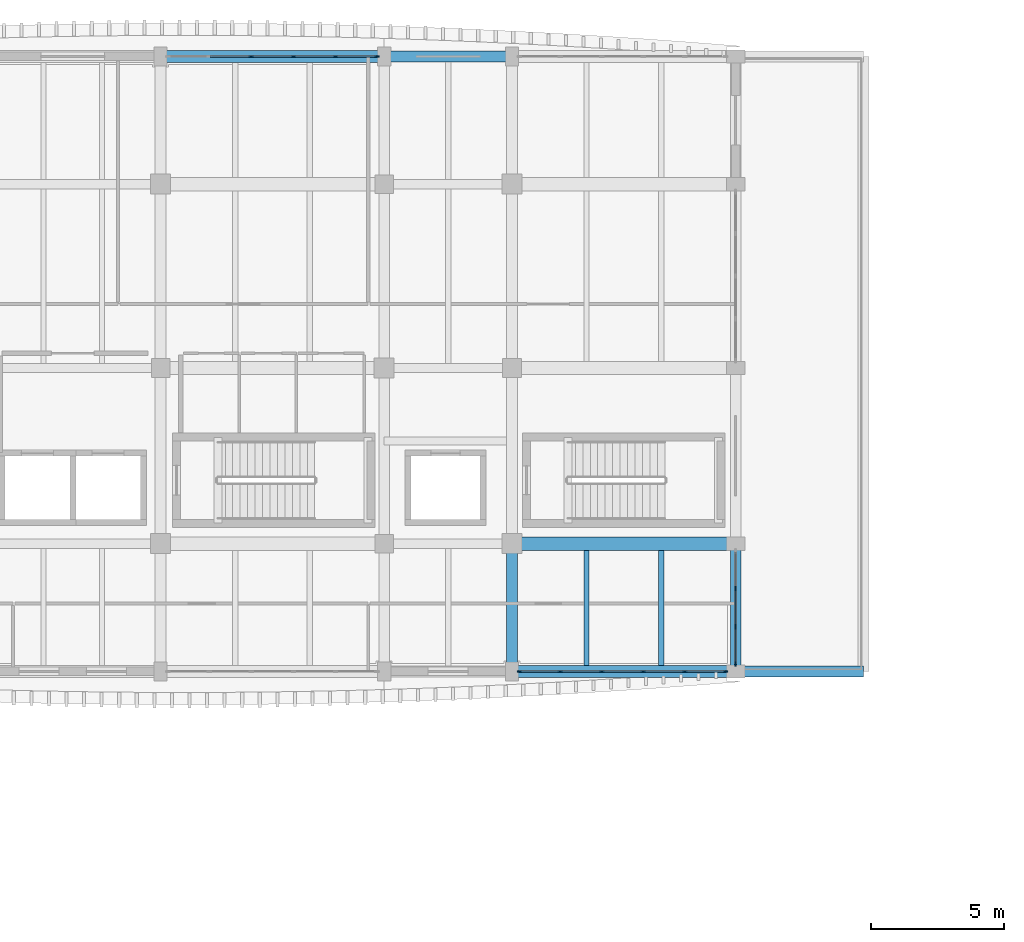
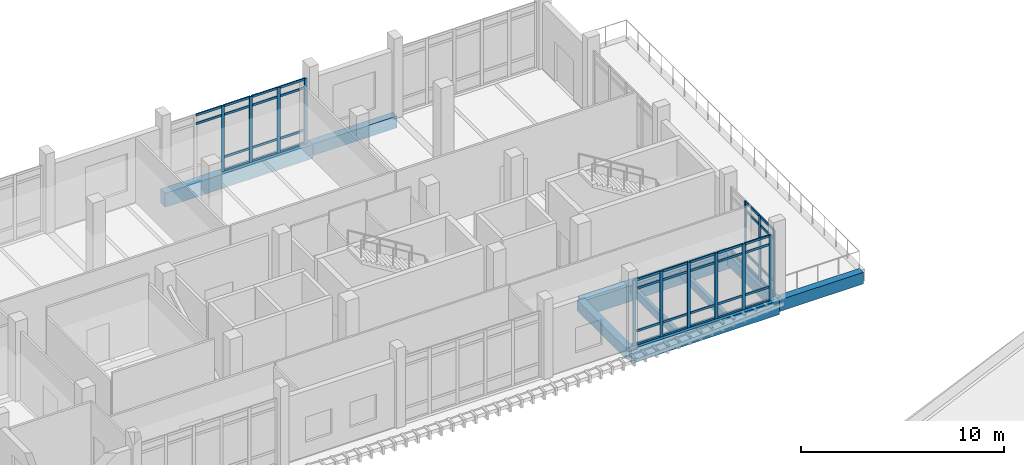
# One storey, part 7 of 50: 56 members, 9 beams, 3 elements without a shape of their own.
"""IFC4 building model written with IfcOpenShell, lengths in metres."""

import ifcopenshell
import ifcopenshell.guid

model = None  # the IFC model being written
_history = None  # IfcOwnerHistory: only IFC2X3 demands one
_inside = {}  # id of a spatial element -> (the spatial element, [elements in it])
_under = {}  # id of a project, library or spatial element -> (it, [spatial elements below it])
_declared = {}  # id of a project -> (the project, [libraries it declares])
_typed = {}  # id of a type object -> (the type object, [elements of that type])
_made_of = {}  # id of a material, layer set ... -> (it, [elements and type objects made of it])


def new_model(schema):
    """Start an empty IFC model of exactly this schema.

    Asked for "IFC4X3", IfcOpenShell would pick the latest addendum, in which some entities
    have other attributes; the version numbers below select the first issue.
    IFC2X3 requires an IfcOwnerHistory on every rooted entity: one is made here for all.
    """
    global model, _history
    if schema == "IFC4X3":
        model = ifcopenshell.file(schema_version=(4, 3, 0, 0))
    else:
        model = ifcopenshell.file(schema=schema)
    _inside.clear()
    _under.clear()
    _declared.clear()
    _typed.clear()
    _made_of.clear()
    _history = None
    if model.schema == "IFC2X3":
        org = make("IfcOrganization", Name="unknown")
        user = make(
            "IfcPersonAndOrganization",
            ThePerson=make("IfcPerson", FamilyName="unknown"),
            TheOrganization=org,
        )
        app = make(
            "IfcApplication",
            ApplicationDeveloper=org,
            Version="unknown",
            ApplicationFullName="unknown",
            ApplicationIdentifier="unknown",
        )
        _history = make(
            "IfcOwnerHistory",
            OwningUser=user,
            OwningApplication=app,
            ChangeAction="ADDED",
            CreationDate=0,
        )
    return model


def make(cls, **values):
    """One entity of the class cls with the attributes given. An attribute that is None is left unset."""
    return model.create_entity(
        cls, **{name: value for name, value in values.items() if value is not None}
    )


def rooted(cls, **values):
    """An entity with a GlobalId (a new one), such as an element, a storey or a relation."""
    return make(cls, GlobalId=ifcopenshell.guid.new(), OwnerHistory=_history, **values)


def si_unit(unit_type, name, prefix=None):
    """IfcSIUnit, for example si_unit("LENGTHUNIT", "METRE", prefix="MILLI")."""
    return make("IfcSIUnit", UnitType=unit_type, Prefix=prefix, Name=name)


def assignment(units):
    """IfcUnitAssignment: the units of a project."""
    return None if units is None else make("IfcUnitAssignment", Units=units)


def point(xyz):
    """IfcCartesianPoint."""
    return None if xyz is None else make("IfcCartesianPoint", Coordinates=xyz)


def direction(xyz):
    """IfcDirection."""
    return None if xyz is None else make("IfcDirection", DirectionRatios=xyz)


def frame(location, z_axis=None, x_axis=None):
    """IfcAxis2Placement3D, a coordinate frame: its origin and axes. An axis left out is left unset."""
    return make(
        "IfcAxis2Placement3D",
        Location=point(location),
        Axis=direction(z_axis),
        RefDirection=direction(x_axis),
    )


def frame_2d(location, x_axis=None):
    """IfcAxis2Placement2D, a coordinate frame in the plane: its origin and x axis."""
    return make(
        "IfcAxis2Placement2D", Location=point(location), RefDirection=direction(x_axis)
    )


def origin():
    """The frame at (0, 0, 0) with its axes left unset."""
    return frame((0.0, 0.0, 0.0))


def origin_2d():
    """The frame at (0, 0) in the plane with its x axis left unset."""
    return frame_2d((0.0, 0.0))


def place(relative_to, where):
    """IfcLocalPlacement: puts the frame where relative to a parent placement (None: the world)."""
    return make(
        "IfcLocalPlacement", PlacementRelTo=relative_to, RelativePlacement=where
    )


def context(
    kind, dimensions, precision=None, world=None, true_north=None, identifier=None
):
    """IfcGeometricRepresentationContext, for example the 3D "Model" context."""
    return make(
        "IfcGeometricRepresentationContext",
        ContextIdentifier=identifier,
        ContextType=kind,
        CoordinateSpaceDimension=dimensions,
        Precision=precision,
        WorldCoordinateSystem=world,
        TrueNorth=true_north,
    )


def subcontext(parent, identifier, kind, view, scale=None):
    """IfcGeometricRepresentationSubContext, for example "Body" below "Model"."""
    return make(
        "IfcGeometricRepresentationSubContext",
        ContextIdentifier=identifier,
        ContextType=kind,
        ParentContext=parent,
        TargetScale=scale,
        TargetView=view,
    )


def project(units=None, contexts=None):
    """IfcProject with its units and contexts."""
    return rooted(
        "IfcProject",
        Name="project",
        RepresentationContexts=contexts,
        UnitsInContext=assignment(units),
    )


def spatial(cls, under=None, at=None, **own):
    """A site, building, storey or space (cls), placed at a placement, below another one or the project."""
    s = rooted(cls, ObjectPlacement=at, **own)
    if under is not None:
        _under.setdefault(under.id(), (under, []))[1].append(s)
    return s


def profile(cls, at=None, kind="AREA", **sizes):
    """A parametric profile (cls). Its sizes go by their IFC names, for example OverallWidth=200.0."""
    return make(cls, ProfileType=kind, Position=at, **sizes)


def rectangle(**sizes):
    """IfcRectangleProfileDef."""
    return profile("IfcRectangleProfileDef", **sizes)


def extrude(swept, where, along, depth):
    """IfcExtrudedAreaSolid: the profile swept, set in the frame where, extruded along a direction by depth."""
    return make(
        "IfcExtrudedAreaSolid",
        SweptArea=swept,
        Position=where,
        ExtrudedDirection=direction(along),
        Depth=depth,
    )


def shape(context_of_items, identifier, shape_type, items):
    """IfcShapeRepresentation: the items that make up one representation, for example the "Body"."""
    return make(
        "IfcShapeRepresentation",
        ContextOfItems=context_of_items,
        RepresentationIdentifier=identifier,
        RepresentationType=shape_type,
        Items=items,
    )


def material(Name=None, Category=None):
    """IfcMaterial."""
    return make("IfcMaterial", Name=Name, Category=Category)


def material_profile(
    of_material, cross_section, Name=None, Category=None, Priority=None
):
    """IfcMaterialProfile: a cross section and its material."""
    return make(
        "IfcMaterialProfile",
        Name=Name,
        Material=of_material,
        Profile=cross_section,
        Priority=Priority,
        Category=Category,
    )


def profile_set(profiles, Name=None, composite=None):
    """IfcMaterialProfileSet."""
    return make(
        "IfcMaterialProfileSet",
        Name=Name,
        MaterialProfiles=profiles,
        CompositeProfile=composite,
    )


def made_of(thing, what):
    """Note that an element or type object is made of a material, layer set ...; save() writes the relation."""
    if what is not None:
        _made_of.setdefault(what.id(), (what, []))[1].append(thing)
    return thing


def type_object(cls, material=None, **own):
    """A type object (cls), such as IfcWallType, which elements share."""
    return made_of(rooted(cls, **own), material)


def element(
    cls,
    number,
    at=None,
    inside=None,
    cuts=None,
    type_object=None,
    material=None,
    context=None,
    identifier="Body",
    shape_type=None,
    held_by="IfcProductDefinitionShape",
    body=None,
    shapes=None,
    **own,
):
    """One element of the class cls, such as IfcWall. Its Tag is "e" and its number.

    at: its placement. inside: the storey or other place that contains it. cuts: it is an
    opening in that element (IfcRelVoidsElement). A single representation is given by context,
    identifier, shape_type and body (its items); several are given by shapes. held_by: the class
    of the entity that holds the representations. save() writes the other relations.
    """
    e = rooted(cls, Tag="e%d" % number, ObjectPlacement=at, **own)
    if body is not None:
        shapes = [shape(context, identifier, shape_type, body)]
    if shapes is not None:
        e.Representation = make(held_by, Representations=shapes)
    if inside is not None:
        _inside.setdefault(inside.id(), (inside, []))[1].append(e)
    if cuts is not None:
        rooted(
            "IfcRelVoidsElement", RelatingBuildingElement=cuts, RelatedOpeningElement=e
        )
    if type_object is not None:
        _typed.setdefault(type_object.id(), (type_object, []))[1].append(e)
    return made_of(e, material)


def aggregate(whole, parts):
    """IfcRelAggregates: a whole, such as a stair, and the parts it consists of."""
    return rooted("IfcRelAggregates", RelatingObject=whole, RelatedObjects=parts)


def save(model, path):
    """Write the relations noted so far, then the file.

    IfcRelAggregates (storeys below a building ...), IfcRelContainedInSpatialStructure (elements
    in a storey), IfcRelDefinesByType, IfcRelAssociatesMaterial and IfcRelDeclares: one each for
    every whole, place, type object, material and project.
    """
    for whole, parts in _under.values():
        aggregate(whole, parts)
    for where, things in _inside.values():
        rooted(
            "IfcRelContainedInSpatialStructure",
            RelatedElements=things,
            RelatingStructure=where,
        )
    for kind, things in _typed.values():
        rooted("IfcRelDefinesByType", RelatedObjects=things, RelatingType=kind)
    for what, things in _made_of.values():
        rooted("IfcRelAssociatesMaterial", RelatedObjects=things, RelatingMaterial=what)
    for by, libraries in _declared.values():
        rooted("IfcRelDeclares", RelatingContext=by, RelatedDefinitions=libraries)
    model.write(path)


model = new_model("IFC4")

# Units and contexts
model_context = context("Model", 3, precision=1e-05, world=origin(), true_north=direction((0.0, 1.0)))
body_context = subcontext(model_context, "Body", "Model", "MODEL_VIEW")
ifc_project = project(units=[si_unit("LENGTHUNIT", "METRE"), si_unit("AREAUNIT", "SQUARE_METRE"), si_unit("VOLUMEUNIT", "CUBIC_METRE"), si_unit("PLANEANGLEUNIT", "RADIAN"), si_unit("MASSUNIT", "GRAM", prefix="KILO")], contexts=[model_context])

# Site, building, storey
site_placement = place(None, origin())
site = spatial("IfcSite", under=ifc_project, at=site_placement, CompositionType="ELEMENT")
building_placement = place(site_placement, origin())
building = spatial("IfcBuilding", under=site, at=building_placement, Name="Dornvale Research Institute", CompositionType="ELEMENT")
storey_placement = place(building_placement, frame((0.0, 0.0, 19.800048828125)))
storey = spatial("IfcBuildingStorey", under=building, at=storey_placement, Name="L04", CompositionType="ELEMENT", Elevation=19.800048828125)

# Beams
ifc_material_1 = material(Name="Concrete f'c 45 MPa (C35/45)", Category="concrete")
ifc_material_profile_1 = material_profile(ifc_material_1, rectangle(XDim=0.39990234375, YDim=0.64990234375, at=origin_2d()), Name="RC 400x650")
ifc_profile_set_1 = profile_set([ifc_material_profile_1], Name="Concrete f'c 45 MPa (C35/45)")
beam_type_1 = type_object("IfcBeamType", Name="Beam_RC400x650_Floor", PredefinedType="BEAM", material=ifc_profile_set_1)
beam_1_placement = place(storey_placement, frame((33.0, 99.0, -0.324951171875), z_axis=(0.0, 1.0, 0.0), x_axis=(-1.0, 0.0, 0.0)))
element("IfcBeam", 1, at=beam_1_placement, inside=storey, type_object=beam_type_1, Name="L04 transverse girder #1164", PredefinedType="BEAM", context=body_context, shape_type="SweptSolid", body=[
    extrude(rectangle(XDim=0.39990234375, YDim=0.64990234375, at=origin_2d()), origin(), (0.0, 0.0, 1.0), 4.800048828125),
])
ifc_material_2 = material(Name="Concrete f'c 45 MPa (C35/45)", Category="concrete")
ifc_material_profile_2 = material_profile(ifc_material_2, rectangle(XDim=0.5, YDim=0.949951171875, at=origin_2d()), Name="RC 500x950")
ifc_profile_set_2 = profile_set([ifc_material_profile_2], Name="Concrete f'c 45 MPa (C35/45)")
beam_type_2 = type_object("IfcBeamType", Name="Beam_RC500x950_Girder", PredefinedType="BEAM", material=ifc_profile_set_2)
beam_2_placement = place(storey_placement, frame((33.0, 103.800048828125, -0.47509765625), z_axis=(1.0, 0.0, 0.0), x_axis=(0.0, 1.0, 0.0)))
element("IfcBeam", 2, at=beam_2_placement, inside=storey, type_object=beam_type_2, Name="L04 primary girder #1125", PredefinedType="BEAM", context=body_context, shape_type="SweptSolid", body=[
    extrude(rectangle(XDim=0.5, YDim=0.949951171875, at=origin_2d()), origin(), (0.0, 0.0, 1.0), 8.39990234375),
])
ifc_material_3 = material(Name="Concrete f'c 45 MPa (C35/45)", Category="concrete")
ifc_material_profile_3 = material_profile(ifc_material_3, rectangle(XDim=0.199951171875, YDim=0.485107421875, at=origin_2d()), Name="RC 200x485")
ifc_profile_set_3 = profile_set([ifc_material_profile_3], Name="Concrete f'c 45 MPa (C35/45)")
beam_type_3 = type_object("IfcBeamType", Name="Joist_RC200x485_Rib", PredefinedType="JOIST", material=ifc_profile_set_3)
for number, where, z_axis, x_axis, name in (
    (3, (35.800048828125, 99.22509765625, -0.242431640625), (0.0, 1.0, 0.0), (-1.0, 0.0, 0.0), "L04 laboratory waffle joist #580"),
    (4, (38.60009765625, 99.22509765625, -0.242431640625), (0.0, 1.0, 0.0), (-1.0, 0.0, 0.0), "L04 laboratory waffle joist #581"),
):
    element("IfcBeam", number, at=place(storey_placement, frame(where, z_axis=z_axis, x_axis=x_axis)), inside=storey, type_object=beam_type_3, Name=name, PredefinedType="JOIST", context=body_context, shape_type="SweptSolid", body=[
        extrude(rectangle(XDim=0.199951171875, YDim=0.485107421875, at=origin_2d()), origin(), (0.0, 0.0, 1.0), 4.324951171875),
    ])

# Curtain wall, members
ifc_material_4 = material(Name="Low-E Argon Double Insulating Glazing Unit", Category="glass")
curtain_wall_type_1 = type_object("IfcCurtainWallType", Name="UnitisedCurtainWall_V5_7900x3950", PredefinedType="USERDEFINED", material=ifc_material_4)
curtain_wall_1_placement = place(storey_placement, origin())
curtain_wall_1 = element("IfcCurtainWall", 5, at=curtain_wall_1_placement, inside=storey, type_object=curtain_wall_type_1, Name="L04 V5 unitised curtain wall CW-24 #158", ObjectType="UNITISED CURTAIN WALL", PredefinedType="USERDEFINED")
ifc_material_5 = material(Name="Anodized Aluminum AA 6063-T6 Thermally Broken Frame", Category="aluminium")
ifc_material_profile_4 = material_profile(ifc_material_5, rectangle(XDim=0.06494140625, YDim=0.179931640625, at=origin_2d()), Name="ALU MULLION 65x180")
ifc_profile_set_4 = profile_set([ifc_material_profile_4], Name="Anodized Aluminum AA 6063-T6 Thermally Broken Frame")
member_type_1 = type_object("IfcMemberType", Name="Mullion_CW_65x180", PredefinedType="MULLION", material=ifc_profile_set_4)
member_1_placement = place(storey_placement, frame((23.2099609375, 122.10009765625, 0.0), z_axis=(0.0, 0.0, 1.0), x_axis=(0.0, 1.0, 0.0)))
member_1 = element("IfcMember", 6, at=member_1_placement, type_object=member_type_1, Name="CW-24 mullion 3", PredefinedType="MULLION", context=body_context, shape_type="SweptSolid", body=[
    extrude(rectangle(XDim=0.06494140625, YDim=0.179931640625, at=origin_2d()), origin(), (0.0, 0.0, 1.0), 3.949951171875),
])
member_2_placement = place(storey_placement, frame((24.7900390625, 122.10009765625, 0.0), z_axis=(0.0, 0.0, 1.0), x_axis=(0.0, 1.0, 0.0)))
member_2 = element("IfcMember", 7, at=member_2_placement, type_object=member_type_1, Name="CW-24 mullion 4", PredefinedType="MULLION", context=body_context, shape_type="SweptSolid", body=[
    extrude(rectangle(XDim=0.06494140625, YDim=0.179931640625, at=origin_2d()), origin(), (0.0, 0.0, 1.0), 3.949951171875),
])
member_3_placement = place(storey_placement, frame((26.3701171875, 122.10009765625, 0.0), z_axis=(0.0, 0.0, 1.0), x_axis=(0.0, 1.0, 0.0)))
member_3 = element("IfcMember", 8, at=member_3_placement, type_object=member_type_1, Name="CW-24 mullion 5", PredefinedType="MULLION", context=body_context, shape_type="SweptSolid", body=[
    extrude(rectangle(XDim=0.06494140625, YDim=0.179931640625, at=origin_2d()), origin(), (0.0, 0.0, 1.0), 3.949951171875),
])
member_4_placement = place(storey_placement, frame((27.91748046875, 122.10009765625, 0.0), z_axis=(0.0, 0.0, 1.0), x_axis=(0.0, 1.0, 0.0)))
member_4 = element("IfcMember", 9, at=member_4_placement, type_object=member_type_1, Name="CW-24 mullion 6", PredefinedType="MULLION", context=body_context, shape_type="SweptSolid", body=[
    extrude(rectangle(XDim=0.06494140625, YDim=0.179931640625, at=origin_2d()), origin(), (0.0, 0.0, 1.0), 3.949951171875),
])

ifc_material_6 = material(Name="Low-E Argon Double Insulating Glazing Unit", Category="glass")
curtain_wall_type_2 = type_object("IfcCurtainWallType", Name="UnitisedCurtainWall_V5_4300x3950", PredefinedType="USERDEFINED", material=ifc_material_6)
curtain_wall_2_placement = place(storey_placement, origin())
curtain_wall_2 = element("IfcCurtainWall", 10, at=curtain_wall_2_placement, inside=storey, type_object=curtain_wall_type_2, Name="L04 V5 unitised curtain wall CW-25 #161", ObjectType="UNITISED CURTAIN WALL", PredefinedType="USERDEFINED")
member_5_placement = place(storey_placement, frame((41.39990234375, 102.11669921875, 0.0), z_axis=(0.0, 0.0, 1.0), x_axis=(1.0, 0.0, 0.0)))
member_5 = element("IfcMember", 11, at=member_5_placement, type_object=member_type_1, Name="CW-25 mullion 2", PredefinedType="MULLION", context=body_context, shape_type="SweptSolid", body=[
    extrude(rectangle(XDim=0.06494140625, YDim=0.179931640625, at=origin_2d()), origin(), (0.0, 0.0, 1.0), 3.949951171875),
])
member_6_placement = place(storey_placement, frame((41.39990234375, 100.683349609375, 0.0), z_axis=(0.0, 0.0, 1.0), x_axis=(1.0, 0.0, 0.0)))
member_6 = element("IfcMember", 12, at=member_6_placement, type_object=member_type_1, Name="CW-25 mullion 3", PredefinedType="MULLION", context=body_context, shape_type="SweptSolid", body=[
    extrude(rectangle(XDim=0.06494140625, YDim=0.179931640625, at=origin_2d()), origin(), (0.0, 0.0, 1.0), 3.949951171875),
])
member_7_placement = place(storey_placement, frame((41.39990234375, 99.282470703125, 0.0), z_axis=(0.0, 0.0, 1.0), x_axis=(1.0, 0.0, 0.0)))
member_7 = element("IfcMember", 13, at=member_7_placement, type_object=member_type_1, Name="CW-25 mullion 4", PredefinedType="MULLION", context=body_context, shape_type="SweptSolid", body=[
    extrude(rectangle(XDim=0.06494140625, YDim=0.179931640625, at=origin_2d()), origin(), (0.0, 0.0, 1.0), 3.949951171875),
])

ifc_material_7 = material(Name="Low-E Argon Double Insulating Glazing Unit", Category="glass")
curtain_wall_type_3 = type_object("IfcCurtainWallType", Name="UnitisedCurtainWall_V5_7800x3950", PredefinedType="USERDEFINED", material=ifc_material_7)
curtain_wall_3_placement = place(storey_placement, origin())
curtain_wall_3 = element("IfcCurtainWall", 14, at=curtain_wall_3_placement, inside=storey, type_object=curtain_wall_type_3, Name="L04 V5 unitised curtain wall CW-29 #162", ObjectType="UNITISED CURTAIN WALL", PredefinedType="USERDEFINED")
member_8_placement = place(storey_placement, frame((41.017578125, 99.0, 0.0), z_axis=(0.0, 0.0, 1.0), x_axis=(0.0, -1.0, 0.0)))
member_8 = element("IfcMember", 15, at=member_8_placement, type_object=member_type_1, Name="CW-29 mullion 1", PredefinedType="MULLION", context=body_context, shape_type="SweptSolid", body=[
    extrude(rectangle(XDim=0.06494140625, YDim=0.179931640625, at=origin_2d()), origin(), (0.0, 0.0, 1.0), 3.949951171875),
])
member_9_placement = place(storey_placement, frame((39.489990234375, 99.0, 0.0), z_axis=(0.0, 0.0, 1.0), x_axis=(0.0, -1.0, 0.0)))
member_9 = element("IfcMember", 16, at=member_9_placement, type_object=member_type_1, Name="CW-29 mullion 2", PredefinedType="MULLION", context=body_context, shape_type="SweptSolid", body=[
    extrude(rectangle(XDim=0.06494140625, YDim=0.179931640625, at=origin_2d()), origin(), (0.0, 0.0, 1.0), 3.949951171875),
])
member_10_placement = place(storey_placement, frame((37.929931640625, 99.0, 0.0), z_axis=(0.0, 0.0, 1.0), x_axis=(0.0, -1.0, 0.0)))
member_10 = element("IfcMember", 17, at=member_10_placement, type_object=member_type_1, Name="CW-29 mullion 3", PredefinedType="MULLION", context=body_context, shape_type="SweptSolid", body=[
    extrude(rectangle(XDim=0.06494140625, YDim=0.179931640625, at=origin_2d()), origin(), (0.0, 0.0, 1.0), 3.949951171875),
])
member_11_placement = place(storey_placement, frame((36.3701171875, 99.0, 0.0), z_axis=(0.0, 0.0, 1.0), x_axis=(0.0, -1.0, 0.0)))
member_11 = element("IfcMember", 18, at=member_11_placement, type_object=member_type_1, Name="CW-29 mullion 4", PredefinedType="MULLION", context=body_context, shape_type="SweptSolid", body=[
    extrude(rectangle(XDim=0.06494140625, YDim=0.179931640625, at=origin_2d()), origin(), (0.0, 0.0, 1.0), 3.949951171875),
])
member_12_placement = place(storey_placement, frame((34.81005859375, 99.0, 0.0), z_axis=(0.0, 0.0, 1.0), x_axis=(0.0, -1.0, 0.0)))
member_12 = element("IfcMember", 19, at=member_12_placement, type_object=member_type_1, Name="CW-29 mullion 5", PredefinedType="MULLION", context=body_context, shape_type="SweptSolid", body=[
    extrude(rectangle(XDim=0.06494140625, YDim=0.179931640625, at=origin_2d()), origin(), (0.0, 0.0, 1.0), 3.949951171875),
])
member_13_placement = place(storey_placement, frame((33.282470703125, 99.0, 0.0), z_axis=(0.0, 0.0, 1.0), x_axis=(0.0, -1.0, 0.0)))
member_13 = element("IfcMember", 20, at=member_13_placement, type_object=member_type_1, Name="CW-29 mullion 6", PredefinedType="MULLION", context=body_context, shape_type="SweptSolid", body=[
    extrude(rectangle(XDim=0.06494140625, YDim=0.179931640625, at=origin_2d()), origin(), (0.0, 0.0, 1.0), 3.949951171875),
])

# Beams
ifc_material_8 = material(Name="Concrete f'c 45 MPa (C35/45)", Category="concrete")
ifc_material_profile_5 = material_profile(ifc_material_8, rectangle(XDim=0.39990234375, YDim=0.699951171875, at=origin_2d()), Name="RC 400x700")
ifc_profile_set_5 = profile_set([ifc_material_profile_5], Name="Concrete f'c 45 MPa (C35/45)")
beam_type_4 = type_object("IfcBeamType", Name="Spandrel_RC400x700_Ext", PredefinedType="SPANDREL", material=ifc_profile_set_5)
for number, where, z_axis, x_axis, name in (
    (21, (28.199951171875, 122.10009765625, -0.35009765625), (1.0, 0.0, 0.0), (0.0, 1.0, 0.0), "L04 perimeter spandrel #1142"),
    (22, (41.39990234375, 99.0, -0.35009765625), (0.0, 1.0, 0.0), (-1.0, 0.0, 0.0), "L04 perimeter spandrel #1168"),
    (23, (41.39990234375, 99.0, -0.35009765625), (1.0, 0.0, 0.0), (0.0, 1.0, 0.0), "L04 terrace edge beam #1320"),
):
    element("IfcBeam", number, at=place(storey_placement, frame(where, z_axis=z_axis, x_axis=x_axis)), inside=storey, type_object=beam_type_4, Name=name, PredefinedType="SPANDREL", context=body_context, shape_type="SweptSolid", body=[
        extrude(rectangle(XDim=0.39990234375, YDim=0.699951171875, at=origin_2d()), origin(), (0.0, 0.0, 1.0), 4.800048828125),
    ])
ifc_material_9 = material(Name="Concrete f'c 45 MPa (C35/45)", Category="concrete")
ifc_material_profile_6 = material_profile(ifc_material_9, rectangle(XDim=0.449951171875, YDim=0.85009765625, at=origin_2d()), Name="RC 450x850")
ifc_profile_set_6 = profile_set([ifc_material_profile_6], Name="Concrete f'c 45 MPa (C35/45)")
beam_type_5 = type_object("IfcBeamType", Name="Spandrel_RC450x850_Ext", PredefinedType="SPANDREL", material=ifc_profile_set_6)
for number, where, z_axis, x_axis, name in (
    (24, (33.0, 99.0, -0.425048828125), (1.0, 0.0, 0.0), (0.0, 1.0, 0.0), "L04 perimeter spandrel #1119"),
    (25, (19.800048828125, 122.10009765625, -0.425048828125), (1.0, 0.0, 0.0), (0.0, 1.0, 0.0), "L04 perimeter spandrel #1141"),
):
    element("IfcBeam", number, at=place(storey_placement, frame(where, z_axis=z_axis, x_axis=x_axis)), inside=storey, type_object=beam_type_5, Name=name, PredefinedType="SPANDREL", context=body_context, shape_type="SweptSolid", body=[
        extrude(rectangle(XDim=0.449951171875, YDim=0.85009765625, at=origin_2d()), origin(), (0.0, 0.0, 1.0), 8.39990234375),
    ])

# Member
ifc_material_10 = material(Name="Anodized Aluminum AA 6063-T6 Thermally Broken Frame", Category="aluminium")
ifc_material_profile_7 = material_profile(ifc_material_10, rectangle(XDim=0.06494140625, YDim=0.135009765625, at=origin_2d()), Name="ALU TRANSOM 65x135")
ifc_profile_set_7 = profile_set([ifc_material_profile_7], Name="Anodized Aluminum AA 6063-T6 Thermally Broken Frame")
member_type_2 = type_object("IfcMemberType", Name="Transom_CW_65x135", PredefinedType="USERDEFINED", material=ifc_profile_set_7)
member_14_placement = place(storey_placement, frame((21.66259765625, 122.10009765625, 3.39990234375), z_axis=(1.0, 0.0, 0.0), x_axis=(0.0, 1.0, 0.0)))
member_14 = element("IfcMember", 26, at=member_14_placement, type_object=member_type_2, Name="CW-24 transom 2.3", ObjectType="TRANSOM", PredefinedType="USERDEFINED", context=body_context, shape_type="SweptSolid", body=[
    extrude(rectangle(XDim=0.06494140625, YDim=0.135009765625, at=origin_2d()), origin(), (0.0, 0.0, 1.0), 1.514892578125),
])

member_15_placement = place(storey_placement, frame((21.66259765625, 122.10009765625, 3.91748046875), z_axis=(1.0, 0.0, 0.0), x_axis=(0.0, 1.0, 0.0)))
member_15 = element("IfcMember", 27, at=member_15_placement, type_object=member_type_2, Name="CW-24 transom 2.4", ObjectType="TRANSOM", PredefinedType="USERDEFINED", context=body_context, shape_type="SweptSolid", body=[
    extrude(rectangle(XDim=0.06494140625, YDim=0.135009765625, at=origin_2d()), origin(), (0.0, 0.0, 1.0), 1.514892578125),
])

member_16_placement = place(storey_placement, frame((23.242431640625, 122.10009765625, 0.032470703125), z_axis=(1.0, 0.0, 0.0), x_axis=(0.0, 1.0, 0.0)))
member_16 = element("IfcMember", 28, at=member_16_placement, type_object=member_type_2, Name="CW-24 transom 3.1", ObjectType="TRANSOM", PredefinedType="USERDEFINED", context=body_context, shape_type="SweptSolid", body=[
    extrude(rectangle(XDim=0.06494140625, YDim=0.135009765625, at=origin_2d()), origin(), (0.0, 0.0, 1.0), 1.51513671875),
])

member_17_placement = place(storey_placement, frame((23.242431640625, 122.10009765625, 0.849853515625), z_axis=(1.0, 0.0, 0.0), x_axis=(0.0, 1.0, 0.0)))
member_17 = element("IfcMember", 29, at=member_17_placement, type_object=member_type_2, Name="CW-24 transom 3.2", ObjectType="TRANSOM", PredefinedType="USERDEFINED", context=body_context, shape_type="SweptSolid", body=[
    extrude(rectangle(XDim=0.06494140625, YDim=0.135009765625, at=origin_2d()), origin(), (0.0, 0.0, 1.0), 1.51513671875),
])

member_18_placement = place(storey_placement, frame((23.242431640625, 122.10009765625, 3.39990234375), z_axis=(1.0, 0.0, 0.0), x_axis=(0.0, 1.0, 0.0)))
member_18 = element("IfcMember", 30, at=member_18_placement, type_object=member_type_2, Name="CW-24 transom 3.3", ObjectType="TRANSOM", PredefinedType="USERDEFINED", context=body_context, shape_type="SweptSolid", body=[
    extrude(rectangle(XDim=0.06494140625, YDim=0.135009765625, at=origin_2d()), origin(), (0.0, 0.0, 1.0), 1.51513671875),
])

member_19_placement = place(storey_placement, frame((23.242431640625, 122.10009765625, 3.91748046875), z_axis=(1.0, 0.0, 0.0), x_axis=(0.0, 1.0, 0.0)))
member_19 = element("IfcMember", 31, at=member_19_placement, type_object=member_type_2, Name="CW-24 transom 3.4", ObjectType="TRANSOM", PredefinedType="USERDEFINED", context=body_context, shape_type="SweptSolid", body=[
    extrude(rectangle(XDim=0.06494140625, YDim=0.135009765625, at=origin_2d()), origin(), (0.0, 0.0, 1.0), 1.51513671875),
])

member_20_placement = place(storey_placement, frame((24.822509765625, 122.10009765625, 0.032470703125), z_axis=(1.0, 0.0, 0.0), x_axis=(0.0, 1.0, 0.0)))
member_20 = element("IfcMember", 32, at=member_20_placement, type_object=member_type_2, Name="CW-24 transom 4.1", ObjectType="TRANSOM", PredefinedType="USERDEFINED", context=body_context, shape_type="SweptSolid", body=[
    extrude(rectangle(XDim=0.06494140625, YDim=0.135009765625, at=origin_2d()), origin(), (0.0, 0.0, 1.0), 1.514892578125),
])

member_21_placement = place(storey_placement, frame((24.822509765625, 122.10009765625, 0.849853515625), z_axis=(1.0, 0.0, 0.0), x_axis=(0.0, 1.0, 0.0)))
member_21 = element("IfcMember", 33, at=member_21_placement, type_object=member_type_2, Name="CW-24 transom 4.2", ObjectType="TRANSOM", PredefinedType="USERDEFINED", context=body_context, shape_type="SweptSolid", body=[
    extrude(rectangle(XDim=0.06494140625, YDim=0.135009765625, at=origin_2d()), origin(), (0.0, 0.0, 1.0), 1.514892578125),
])

member_22_placement = place(storey_placement, frame((24.822509765625, 122.10009765625, 3.39990234375), z_axis=(1.0, 0.0, 0.0), x_axis=(0.0, 1.0, 0.0)))
member_22 = element("IfcMember", 34, at=member_22_placement, type_object=member_type_2, Name="CW-24 transom 4.3", ObjectType="TRANSOM", PredefinedType="USERDEFINED", context=body_context, shape_type="SweptSolid", body=[
    extrude(rectangle(XDim=0.06494140625, YDim=0.135009765625, at=origin_2d()), origin(), (0.0, 0.0, 1.0), 1.514892578125),
])

member_23_placement = place(storey_placement, frame((24.822509765625, 122.10009765625, 3.91748046875), z_axis=(1.0, 0.0, 0.0), x_axis=(0.0, 1.0, 0.0)))
member_23 = element("IfcMember", 35, at=member_23_placement, type_object=member_type_2, Name="CW-24 transom 4.4", ObjectType="TRANSOM", PredefinedType="USERDEFINED", context=body_context, shape_type="SweptSolid", body=[
    extrude(rectangle(XDim=0.06494140625, YDim=0.135009765625, at=origin_2d()), origin(), (0.0, 0.0, 1.0), 1.514892578125),
])

member_24_placement = place(storey_placement, frame((26.402587890625, 122.10009765625, 0.032470703125), z_axis=(1.0, 0.0, 0.0), x_axis=(0.0, 1.0, 0.0)))
member_24 = element("IfcMember", 36, at=member_24_placement, type_object=member_type_2, Name="CW-24 transom 5.1", ObjectType="TRANSOM", PredefinedType="USERDEFINED", context=body_context, shape_type="SweptSolid", body=[
    extrude(rectangle(XDim=0.06494140625, YDim=0.135009765625, at=origin_2d()), origin(), (0.0, 0.0, 1.0), 1.482421875),
])

member_25_placement = place(storey_placement, frame((26.402587890625, 122.10009765625, 0.849853515625), z_axis=(1.0, 0.0, 0.0), x_axis=(0.0, 1.0, 0.0)))
member_25 = element("IfcMember", 37, at=member_25_placement, type_object=member_type_2, Name="CW-24 transom 5.2", ObjectType="TRANSOM", PredefinedType="USERDEFINED", context=body_context, shape_type="SweptSolid", body=[
    extrude(rectangle(XDim=0.06494140625, YDim=0.135009765625, at=origin_2d()), origin(), (0.0, 0.0, 1.0), 1.482421875),
])

member_26_placement = place(storey_placement, frame((26.402587890625, 122.10009765625, 3.39990234375), z_axis=(1.0, 0.0, 0.0), x_axis=(0.0, 1.0, 0.0)))
member_26 = element("IfcMember", 38, at=member_26_placement, type_object=member_type_2, Name="CW-24 transom 5.3", ObjectType="TRANSOM", PredefinedType="USERDEFINED", context=body_context, shape_type="SweptSolid", body=[
    extrude(rectangle(XDim=0.06494140625, YDim=0.135009765625, at=origin_2d()), origin(), (0.0, 0.0, 1.0), 1.482421875),
])

member_27_placement = place(storey_placement, frame((26.402587890625, 122.10009765625, 3.91748046875), z_axis=(1.0, 0.0, 0.0), x_axis=(0.0, 1.0, 0.0)))
member_27 = element("IfcMember", 39, at=member_27_placement, type_object=member_type_2, Name="CW-24 transom 5.4", ObjectType="TRANSOM", PredefinedType="USERDEFINED", context=body_context, shape_type="SweptSolid", body=[
    extrude(rectangle(XDim=0.06494140625, YDim=0.135009765625, at=origin_2d()), origin(), (0.0, 0.0, 1.0), 1.482421875),
])

aggregate(curtain_wall_1, [member_1, member_2, member_3, member_4, member_14, member_15, member_16, member_17, member_18, member_19, member_20, member_21, member_22, member_23, member_24, member_25, member_26, member_27])

member_28_placement = place(storey_placement, frame((41.39990234375, 103.485107421875, 0.032470703125), z_axis=(0.0, -1.0, 0.0), x_axis=(1.0, 0.0, 0.0)))
member_28 = element("IfcMember", 40, at=member_28_placement, type_object=member_type_2, Name="CW-25 transom 1.1", ObjectType="TRANSOM", PredefinedType="USERDEFINED", context=body_context, shape_type="SweptSolid", body=[
    extrude(rectangle(XDim=0.06494140625, YDim=0.135009765625, at=origin_2d()), origin(), (0.0, 0.0, 1.0), 1.3359375),
])

member_29_placement = place(storey_placement, frame((41.39990234375, 102.084228515625, 0.032470703125), z_axis=(0.0, -1.0, 0.0), x_axis=(1.0, 0.0, 0.0)))
member_29 = element("IfcMember", 41, at=member_29_placement, type_object=member_type_2, Name="CW-25 transom 2.1", ObjectType="TRANSOM", PredefinedType="USERDEFINED", context=body_context, shape_type="SweptSolid", body=[
    extrude(rectangle(XDim=0.06494140625, YDim=0.135009765625, at=origin_2d()), origin(), (0.0, 0.0, 1.0), 1.368408203125),
])

member_30_placement = place(storey_placement, frame((41.39990234375, 102.084228515625, 0.849853515625), z_axis=(0.0, -1.0, 0.0), x_axis=(1.0, 0.0, 0.0)))
member_30 = element("IfcMember", 42, at=member_30_placement, type_object=member_type_2, Name="CW-25 transom 2.2", ObjectType="TRANSOM", PredefinedType="USERDEFINED", context=body_context, shape_type="SweptSolid", body=[
    extrude(rectangle(XDim=0.06494140625, YDim=0.135009765625, at=origin_2d()), origin(), (0.0, 0.0, 1.0), 1.368408203125),
])

member_31_placement = place(storey_placement, frame((41.39990234375, 102.084228515625, 3.39990234375), z_axis=(0.0, -1.0, 0.0), x_axis=(1.0, 0.0, 0.0)))
member_31 = element("IfcMember", 43, at=member_31_placement, type_object=member_type_2, Name="CW-25 transom 2.3", ObjectType="TRANSOM", PredefinedType="USERDEFINED", context=body_context, shape_type="SweptSolid", body=[
    extrude(rectangle(XDim=0.06494140625, YDim=0.135009765625, at=origin_2d()), origin(), (0.0, 0.0, 1.0), 1.368408203125),
])

member_32_placement = place(storey_placement, frame((41.39990234375, 102.084228515625, 3.91748046875), z_axis=(0.0, -1.0, 0.0), x_axis=(1.0, 0.0, 0.0)))
member_32 = element("IfcMember", 44, at=member_32_placement, type_object=member_type_2, Name="CW-25 transom 2.4", ObjectType="TRANSOM", PredefinedType="USERDEFINED", context=body_context, shape_type="SweptSolid", body=[
    extrude(rectangle(XDim=0.06494140625, YDim=0.135009765625, at=origin_2d()), origin(), (0.0, 0.0, 1.0), 1.368408203125),
])

member_33_placement = place(storey_placement, frame((41.39990234375, 100.65087890625, 0.032470703125), z_axis=(0.0, -1.0, 0.0), x_axis=(1.0, 0.0, 0.0)))
member_33 = element("IfcMember", 45, at=member_33_placement, type_object=member_type_2, Name="CW-25 transom 3.1", ObjectType="TRANSOM", PredefinedType="USERDEFINED", context=body_context, shape_type="SweptSolid", body=[
    extrude(rectangle(XDim=0.06494140625, YDim=0.135009765625, at=origin_2d()), origin(), (0.0, 0.0, 1.0), 1.3359375),
])

member_34_placement = place(storey_placement, frame((41.39990234375, 100.65087890625, 0.849853515625), z_axis=(0.0, -1.0, 0.0), x_axis=(1.0, 0.0, 0.0)))
member_34 = element("IfcMember", 46, at=member_34_placement, type_object=member_type_2, Name="CW-25 transom 3.2", ObjectType="TRANSOM", PredefinedType="USERDEFINED", context=body_context, shape_type="SweptSolid", body=[
    extrude(rectangle(XDim=0.06494140625, YDim=0.135009765625, at=origin_2d()), origin(), (0.0, 0.0, 1.0), 1.3359375),
])

member_35_placement = place(storey_placement, frame((41.39990234375, 100.65087890625, 3.39990234375), z_axis=(0.0, -1.0, 0.0), x_axis=(1.0, 0.0, 0.0)))
member_35 = element("IfcMember", 47, at=member_35_placement, type_object=member_type_2, Name="CW-25 transom 3.3", ObjectType="TRANSOM", PredefinedType="USERDEFINED", context=body_context, shape_type="SweptSolid", body=[
    extrude(rectangle(XDim=0.06494140625, YDim=0.135009765625, at=origin_2d()), origin(), (0.0, 0.0, 1.0), 1.3359375),
])

member_36_placement = place(storey_placement, frame((41.39990234375, 100.65087890625, 3.91748046875), z_axis=(0.0, -1.0, 0.0), x_axis=(1.0, 0.0, 0.0)))
member_36 = element("IfcMember", 48, at=member_36_placement, type_object=member_type_2, Name="CW-25 transom 3.4", ObjectType="TRANSOM", PredefinedType="USERDEFINED", context=body_context, shape_type="SweptSolid", body=[
    extrude(rectangle(XDim=0.06494140625, YDim=0.135009765625, at=origin_2d()), origin(), (0.0, 0.0, 1.0), 1.3359375),
])

aggregate(curtain_wall_2, [member_5, member_6, member_7, member_28, member_29, member_30, member_31, member_32, member_33, member_34, member_35, member_36])

member_37_placement = place(storey_placement, frame((40.985107421875, 99.0, 0.032470703125), z_axis=(-1.0, 0.0, 0.0), x_axis=(0.0, -1.0, 0.0)))
member_37 = element("IfcMember", 49, at=member_37_placement, type_object=member_type_2, Name="CW-29 transom 1.1", ObjectType="TRANSOM", PredefinedType="USERDEFINED", context=body_context, shape_type="SweptSolid", body=[
    extrude(rectangle(XDim=0.06494140625, YDim=0.135009765625, at=origin_2d()), origin(), (0.0, 0.0, 1.0), 1.462646484375),
])

member_38_placement = place(storey_placement, frame((40.985107421875, 99.0, 0.849853515625), z_axis=(-1.0, 0.0, 0.0), x_axis=(0.0, -1.0, 0.0)))
member_38 = element("IfcMember", 50, at=member_38_placement, type_object=member_type_2, Name="CW-29 transom 1.2", ObjectType="TRANSOM", PredefinedType="USERDEFINED", context=body_context, shape_type="SweptSolid", body=[
    extrude(rectangle(XDim=0.06494140625, YDim=0.135009765625, at=origin_2d()), origin(), (0.0, 0.0, 1.0), 1.462646484375),
])

member_39_placement = place(storey_placement, frame((40.985107421875, 99.0, 3.39990234375), z_axis=(-1.0, 0.0, 0.0), x_axis=(0.0, -1.0, 0.0)))
member_39 = element("IfcMember", 51, at=member_39_placement, type_object=member_type_2, Name="CW-29 transom 1.3", ObjectType="TRANSOM", PredefinedType="USERDEFINED", context=body_context, shape_type="SweptSolid", body=[
    extrude(rectangle(XDim=0.06494140625, YDim=0.135009765625, at=origin_2d()), origin(), (0.0, 0.0, 1.0), 1.462646484375),
])

member_40_placement = place(storey_placement, frame((40.985107421875, 99.0, 3.91748046875), z_axis=(-1.0, 0.0, 0.0), x_axis=(0.0, -1.0, 0.0)))
member_40 = element("IfcMember", 52, at=member_40_placement, type_object=member_type_2, Name="CW-29 transom 1.4", ObjectType="TRANSOM", PredefinedType="USERDEFINED", context=body_context, shape_type="SweptSolid", body=[
    extrude(rectangle(XDim=0.06494140625, YDim=0.135009765625, at=origin_2d()), origin(), (0.0, 0.0, 1.0), 1.462646484375),
])

member_41_placement = place(storey_placement, frame((39.45751953125, 99.0, 0.032470703125), z_axis=(-1.0, 0.0, 0.0), x_axis=(0.0, -1.0, 0.0)))
member_41 = element("IfcMember", 53, at=member_41_placement, type_object=member_type_2, Name="CW-29 transom 2.1", ObjectType="TRANSOM", PredefinedType="USERDEFINED", context=body_context, shape_type="SweptSolid", body=[
    extrude(rectangle(XDim=0.06494140625, YDim=0.135009765625, at=origin_2d()), origin(), (0.0, 0.0, 1.0), 1.4951171875),
])

member_42_placement = place(storey_placement, frame((39.45751953125, 99.0, 0.849853515625), z_axis=(-1.0, 0.0, 0.0), x_axis=(0.0, -1.0, 0.0)))
member_42 = element("IfcMember", 54, at=member_42_placement, type_object=member_type_2, Name="CW-29 transom 2.2", ObjectType="TRANSOM", PredefinedType="USERDEFINED", context=body_context, shape_type="SweptSolid", body=[
    extrude(rectangle(XDim=0.06494140625, YDim=0.135009765625, at=origin_2d()), origin(), (0.0, 0.0, 1.0), 1.4951171875),
])

member_43_placement = place(storey_placement, frame((39.45751953125, 99.0, 3.39990234375), z_axis=(-1.0, 0.0, 0.0), x_axis=(0.0, -1.0, 0.0)))
member_43 = element("IfcMember", 55, at=member_43_placement, type_object=member_type_2, Name="CW-29 transom 2.3", ObjectType="TRANSOM", PredefinedType="USERDEFINED", context=body_context, shape_type="SweptSolid", body=[
    extrude(rectangle(XDim=0.06494140625, YDim=0.135009765625, at=origin_2d()), origin(), (0.0, 0.0, 1.0), 1.4951171875),
])

member_44_placement = place(storey_placement, frame((39.45751953125, 99.0, 3.91748046875), z_axis=(-1.0, 0.0, 0.0), x_axis=(0.0, -1.0, 0.0)))
member_44 = element("IfcMember", 56, at=member_44_placement, type_object=member_type_2, Name="CW-29 transom 2.4", ObjectType="TRANSOM", PredefinedType="USERDEFINED", context=body_context, shape_type="SweptSolid", body=[
    extrude(rectangle(XDim=0.06494140625, YDim=0.135009765625, at=origin_2d()), origin(), (0.0, 0.0, 1.0), 1.4951171875),
])

member_45_placement = place(storey_placement, frame((37.8974609375, 99.0, 0.032470703125), z_axis=(-1.0, 0.0, 0.0), x_axis=(0.0, -1.0, 0.0)))
member_45 = element("IfcMember", 57, at=member_45_placement, type_object=member_type_2, Name="CW-29 transom 3.1", ObjectType="TRANSOM", PredefinedType="USERDEFINED", context=body_context, shape_type="SweptSolid", body=[
    extrude(rectangle(XDim=0.06494140625, YDim=0.135009765625, at=origin_2d()), origin(), (0.0, 0.0, 1.0), 1.494873046875),
])

member_46_placement = place(storey_placement, frame((37.8974609375, 99.0, 0.849853515625), z_axis=(-1.0, 0.0, 0.0), x_axis=(0.0, -1.0, 0.0)))
member_46 = element("IfcMember", 58, at=member_46_placement, type_object=member_type_2, Name="CW-29 transom 3.2", ObjectType="TRANSOM", PredefinedType="USERDEFINED", context=body_context, shape_type="SweptSolid", body=[
    extrude(rectangle(XDim=0.06494140625, YDim=0.135009765625, at=origin_2d()), origin(), (0.0, 0.0, 1.0), 1.494873046875),
])

member_47_placement = place(storey_placement, frame((37.8974609375, 99.0, 3.39990234375), z_axis=(-1.0, 0.0, 0.0), x_axis=(0.0, -1.0, 0.0)))
member_47 = element("IfcMember", 59, at=member_47_placement, type_object=member_type_2, Name="CW-29 transom 3.3", ObjectType="TRANSOM", PredefinedType="USERDEFINED", context=body_context, shape_type="SweptSolid", body=[
    extrude(rectangle(XDim=0.06494140625, YDim=0.135009765625, at=origin_2d()), origin(), (0.0, 0.0, 1.0), 1.494873046875),
])

member_48_placement = place(storey_placement, frame((37.8974609375, 99.0, 3.91748046875), z_axis=(-1.0, 0.0, 0.0), x_axis=(0.0, -1.0, 0.0)))
member_48 = element("IfcMember", 60, at=member_48_placement, type_object=member_type_2, Name="CW-29 transom 3.4", ObjectType="TRANSOM", PredefinedType="USERDEFINED", context=body_context, shape_type="SweptSolid", body=[
    extrude(rectangle(XDim=0.06494140625, YDim=0.135009765625, at=origin_2d()), origin(), (0.0, 0.0, 1.0), 1.494873046875),
])

member_49_placement = place(storey_placement, frame((36.33740234375, 99.0, 0.032470703125), z_axis=(-1.0, 0.0, 0.0), x_axis=(0.0, -1.0, 0.0)))
member_49 = element("IfcMember", 61, at=member_49_placement, type_object=member_type_2, Name="CW-29 transom 4.1", ObjectType="TRANSOM", PredefinedType="USERDEFINED", context=body_context, shape_type="SweptSolid", body=[
    extrude(rectangle(XDim=0.06494140625, YDim=0.135009765625, at=origin_2d()), origin(), (0.0, 0.0, 1.0), 1.494873046875),
])

member_50_placement = place(storey_placement, frame((36.33740234375, 99.0, 0.849853515625), z_axis=(-1.0, 0.0, 0.0), x_axis=(0.0, -1.0, 0.0)))
member_50 = element("IfcMember", 62, at=member_50_placement, type_object=member_type_2, Name="CW-29 transom 4.2", ObjectType="TRANSOM", PredefinedType="USERDEFINED", context=body_context, shape_type="SweptSolid", body=[
    extrude(rectangle(XDim=0.06494140625, YDim=0.135009765625, at=origin_2d()), origin(), (0.0, 0.0, 1.0), 1.494873046875),
])

member_51_placement = place(storey_placement, frame((36.33740234375, 99.0, 3.39990234375), z_axis=(-1.0, 0.0, 0.0), x_axis=(0.0, -1.0, 0.0)))
member_51 = element("IfcMember", 63, at=member_51_placement, type_object=member_type_2, Name="CW-29 transom 4.3", ObjectType="TRANSOM", PredefinedType="USERDEFINED", context=body_context, shape_type="SweptSolid", body=[
    extrude(rectangle(XDim=0.06494140625, YDim=0.135009765625, at=origin_2d()), origin(), (0.0, 0.0, 1.0), 1.494873046875),
])

member_52_placement = place(storey_placement, frame((36.33740234375, 99.0, 3.91748046875), z_axis=(-1.0, 0.0, 0.0), x_axis=(0.0, -1.0, 0.0)))
member_52 = element("IfcMember", 64, at=member_52_placement, type_object=member_type_2, Name="CW-29 transom 4.4", ObjectType="TRANSOM", PredefinedType="USERDEFINED", context=body_context, shape_type="SweptSolid", body=[
    extrude(rectangle(XDim=0.06494140625, YDim=0.135009765625, at=origin_2d()), origin(), (0.0, 0.0, 1.0), 1.494873046875),
])

member_53_placement = place(storey_placement, frame((34.777587890625, 99.0, 0.032470703125), z_axis=(-1.0, 0.0, 0.0), x_axis=(0.0, -1.0, 0.0)))
member_53 = element("IfcMember", 65, at=member_53_placement, type_object=member_type_2, Name="CW-29 transom 5.1", ObjectType="TRANSOM", PredefinedType="USERDEFINED", context=body_context, shape_type="SweptSolid", body=[
    extrude(rectangle(XDim=0.06494140625, YDim=0.135009765625, at=origin_2d()), origin(), (0.0, 0.0, 1.0), 1.462646484375),
])

member_54_placement = place(storey_placement, frame((34.777587890625, 99.0, 0.849853515625), z_axis=(-1.0, 0.0, 0.0), x_axis=(0.0, -1.0, 0.0)))
member_54 = element("IfcMember", 66, at=member_54_placement, type_object=member_type_2, Name="CW-29 transom 5.2", ObjectType="TRANSOM", PredefinedType="USERDEFINED", context=body_context, shape_type="SweptSolid", body=[
    extrude(rectangle(XDim=0.06494140625, YDim=0.135009765625, at=origin_2d()), origin(), (0.0, 0.0, 1.0), 1.462646484375),
])

member_55_placement = place(storey_placement, frame((34.777587890625, 99.0, 3.39990234375), z_axis=(-1.0, 0.0, 0.0), x_axis=(0.0, -1.0, 0.0)))
member_55 = element("IfcMember", 67, at=member_55_placement, type_object=member_type_2, Name="CW-29 transom 5.3", ObjectType="TRANSOM", PredefinedType="USERDEFINED", context=body_context, shape_type="SweptSolid", body=[
    extrude(rectangle(XDim=0.06494140625, YDim=0.135009765625, at=origin_2d()), origin(), (0.0, 0.0, 1.0), 1.462646484375),
])

member_56_placement = place(storey_placement, frame((34.777587890625, 99.0, 3.91748046875), z_axis=(-1.0, 0.0, 0.0), x_axis=(0.0, -1.0, 0.0)))
member_56 = element("IfcMember", 68, at=member_56_placement, type_object=member_type_2, Name="CW-29 transom 5.4", ObjectType="TRANSOM", PredefinedType="USERDEFINED", context=body_context, shape_type="SweptSolid", body=[
    extrude(rectangle(XDim=0.06494140625, YDim=0.135009765625, at=origin_2d()), origin(), (0.0, 0.0, 1.0), 1.462646484375),
])

aggregate(curtain_wall_3, [member_8, member_9, member_10, member_11, member_12, member_13, member_37, member_38, member_39, member_40, member_41, member_42, member_43, member_44, member_45, member_46, member_47, member_48, member_49, member_50, member_51, member_52, member_53, member_54, member_55, member_56])

save(model, "model.ifc")
